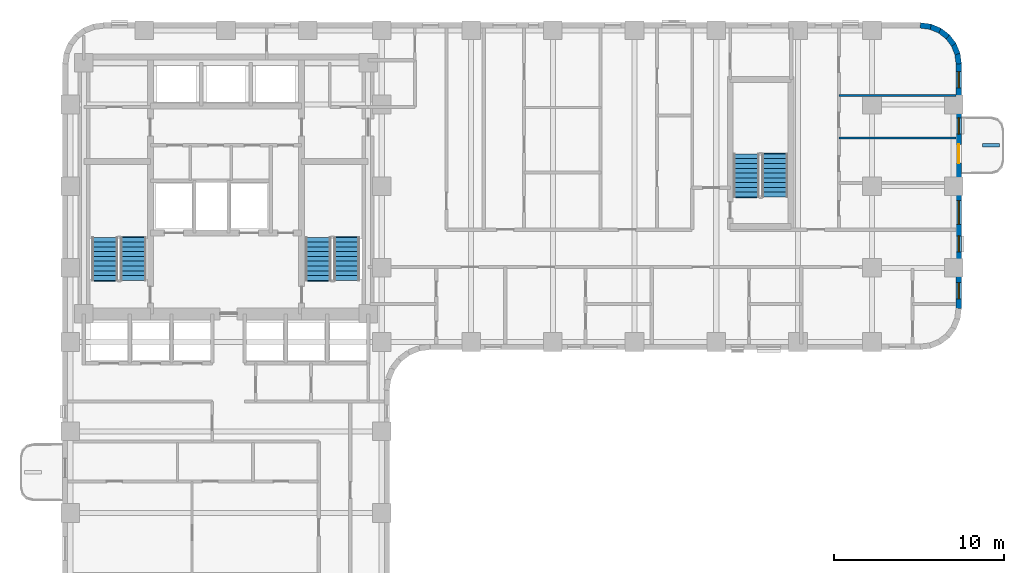
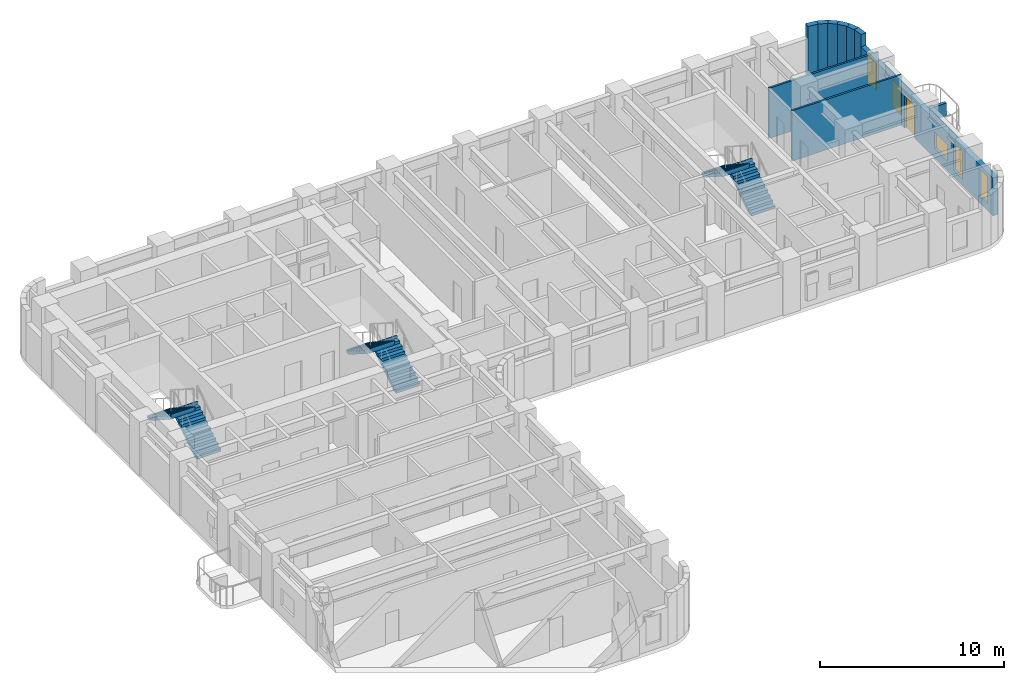
# One storey, part 8 of 11: 10 walls, 6 stair flights, 5 windows, 1 door, 6 openings, 3 elements without a shape of their own.
"""IFC4 building model written with IfcOpenShell, lengths in metres."""

from ifc_helpers import new_model, si_unit, direction, frame, frame_2d, origin, place, context, subcontext, project, spatial, polyline, rectangle, outline, extrude, material, layer, layer_set, type_object, element, fill, aggregate, save


model = new_model("IFC4")

# Units and contexts
model_context = context("Model", 3, precision=1e-05, world=origin(), true_north=direction((0.0, 1.0)))
body_context = subcontext(model_context, "Body", "Model", "MODEL_VIEW")
ifc_project = project(units=[si_unit("LENGTHUNIT", "METRE"), si_unit("AREAUNIT", "SQUARE_METRE"), si_unit("VOLUMEUNIT", "CUBIC_METRE"), si_unit("PLANEANGLEUNIT", "RADIAN"), si_unit("MASSUNIT", "GRAM", prefix="KILO")], contexts=[model_context])

# Site, building, storey
site_placement = place(None, origin())
site = spatial("IfcSite", under=ifc_project, at=site_placement, CompositionType="ELEMENT")
building_placement = place(site_placement, origin())
building = spatial("IfcBuilding", under=site, at=building_placement, Name="Orvandelia Arch Residences", CompositionType="ELEMENT")
storey_placement = place(building_placement, frame((0.0, 0.0, 82.60009765625)))
storey = spatial("IfcBuildingStorey", under=building, at=storey_placement, Name="L21", CompositionType="ELEMENT", Elevation=82.60009765625)

# Walls
ifc_material_1 = material(Name="Precast concrete C40/50", Category="concrete")
ifc_layer_1 = layer(ifc_material_1, 0.320068359375, Name="Precast concrete C40/50", Category="concrete")
ifc_layer_set_1 = layer_set([ifc_layer_1], Name="Precast concrete C40/50")
wall_type_1 = type_object("IfcWallType", Name="WL-EXT-STONE-320", PredefinedType="STANDARD", material=ifc_layer_set_1)
for number, where, z_axis, x_axis, name in (
    (1, (55.17919921875, 47.84130859375, 0.0), (0.0, 0.0, 1.0), (0.9914410257, -0.130555323746, 0.0), "Coral-Limestone Precast Facade Wall L21-008"),
    (2, (55.760009765625, 47.7705078125, 0.0), (0.0, 0.0, 1.0), (0.92389335771, -0.382650053678, 0.0), "Coral-Limestone Precast Facade Wall L21-009"),
):
    element("IfcWall", number, at=place(storey_placement, frame(where, z_axis=z_axis, x_axis=x_axis)), inside=storey, type_object=wall_type_1, Name=name, PredefinedType="STANDARD", context=body_context, shape_type="SweptSolid", body=[
        extrude(rectangle(XDim=0.62646484375, YDim=0.320068359375, at=frame_2d((0.313232421875, 0.0))), origin(), (0.0, 0.0, 1.0), 3.349853515625),
    ])
wall_1_placement = place(storey_placement, frame((56.302490234375, 47.551513671875, 0.0), z_axis=(0.0, 0.0, 1.0), x_axis=(0.793549926411, -0.608505147302, 0.0)))
element("IfcWall", 3, at=wall_1_placement, inside=storey, type_object=wall_type_1, Name="Coral-Limestone Precast Facade Wall L21-010", PredefinedType="STANDARD", context=body_context, shape_type="SweptSolid", body=[
    extrude(rectangle(XDim=0.626708984375, YDim=0.320068359375, at=frame_2d((0.3134765625, 0.0))), origin(), (0.0, 0.0, 1.0), 3.349853515625),
])
for number, where, z_axis, x_axis, name in (
    (4, (56.770263671875, 47.19970703125, 0.0), (0.0, 0.0, 1.0), (0.608693302629, -0.793405610854, 0.0), "Coral-Limestone Precast Facade Wall L21-011"),
    (5, (57.130615234375, 46.73876953125, 0.0), (0.0, 0.0, 1.0), (0.382650053678, -0.92389335771, 0.0), "Coral-Limestone Precast Facade Wall L21-012"),
    (6, (57.359619140625, 46.2001953125, 0.0), (0.0, 0.0, 1.0), (0.130555323746, -0.9914410257, 0.0), "Coral-Limestone Precast Facade Wall L21-013"),
):
    element("IfcWall", number, at=place(storey_placement, frame(where, z_axis=z_axis, x_axis=x_axis)), inside=storey, type_object=wall_type_1, Name=name, PredefinedType="STANDARD", context=body_context, shape_type="SweptSolid", body=[
        extrude(rectangle(XDim=0.62646484375, YDim=0.320068359375, at=frame_2d((0.313232421875, 0.0))), origin(), (0.0, 0.0, 1.0), 3.349853515625),
    ])

# Wall, openings, door, windows
wall_2_placement = place(storey_placement, frame((57.43994140625, 45.60009765625, 0.0), z_axis=(0.0, 0.0, 1.0), x_axis=(0.0, -1.0, 0.0)))
wall_2 = element("IfcWall", 7, at=wall_2_placement, inside=storey, type_object=wall_type_1, Name="Coral-Limestone Precast Facade Wall L21-014", PredefinedType="STANDARD", context=body_context, shape_type="SweptSolid", body=[
    extrude(rectangle(XDim=14.400146484375, YDim=0.320068359375, at=frame_2d((7.2001953125, 0.0))), origin(), (0.0, 0.0, 1.0), 2.52978515625),
])
opening_1_placement = place(wall_2_placement, frame((4.75, 0.0, 0.0)))
opening_1 = element("IfcOpeningElement", 8, at=opening_1_placement, cuts=wall_2, Name="Opening BD1", PredefinedType="OPENING", context=body_context, shape_type="SweptSolid", body=[
    extrude(rectangle(XDim=1.10009765625, YDim=2.14990234375, at=frame_2d((0.550048828125, 1.074951171875))), frame((0.0, 0.169921875, 0.0), z_axis=(0.0, -1.0, 0.0), x_axis=(1.0, 0.0, 0.0)), (0.0, 0.0, 1.0), 0.340087890625),
])
opening_2_placement = place(wall_2_placement, frame((0.469970703125, 0.0, 0.449951171875)))
opening_2 = element("IfcOpeningElement", 9, at=opening_2_placement, cuts=wall_2, Name="Opening W4", PredefinedType="OPENING", context=body_context, shape_type="SweptSolid", body=[
    extrude(rectangle(XDim=0.949951171875, YDim=1.800048828125, at=frame_2d((0.47509765625, 0.89990234375))), frame((0.0, 0.169921875, 0.0), z_axis=(0.0, -1.0, 0.0), x_axis=(1.0, 0.0, 0.0)), (0.0, 0.0, 1.0), 0.340087890625),
])
opening_3_placement = place(wall_2_placement, frame((10.114990234375, 0.0, 0.449951171875)))
opening_3 = element("IfcOpeningElement", 10, at=opening_3_placement, cuts=wall_2, Name="Opening W4", PredefinedType="OPENING", context=body_context, shape_type="SweptSolid", body=[
    extrude(rectangle(XDim=0.949951171875, YDim=1.800048828125, at=frame_2d((0.47509765625, 0.89990234375))), frame((0.0, 0.169921875, 0.0), z_axis=(0.0, -1.0, 0.0), x_axis=(1.0, 0.0, 0.0)), (0.0, 0.0, 1.0), 0.340087890625),
])
opening_4_placement = place(wall_2_placement, frame((12.867431640625, 0.0, 0.449951171875)))
opening_4 = element("IfcOpeningElement", 11, at=opening_4_placement, cuts=wall_2, Name="Opening W4", PredefinedType="OPENING", context=body_context, shape_type="SweptSolid", body=[
    extrude(rectangle(XDim=0.949951171875, YDim=1.800048828125, at=frame_2d((0.47509765625, 0.89990234375))), frame((0.0, 0.169921875, 0.0), z_axis=(0.0, -1.0, 0.0), x_axis=(1.0, 0.0, 0.0)), (0.0, 0.0, 1.0), 0.340087890625),
])
opening_5_placement = place(wall_2_placement, frame((8.050048828125, 0.0, 0.64990234375)))
opening_5 = element("IfcOpeningElement", 12, at=opening_5_placement, cuts=wall_2, Name="Opening W10", PredefinedType="OPENING", context=body_context, shape_type="SweptSolid", body=[
    extrude(rectangle(XDim=1.39990234375, YDim=1.10009765625, at=frame_2d((0.699951171875, 0.550048828125))), frame((0.0, 0.169921875, 0.0), z_axis=(0.0, -1.0, 0.0), x_axis=(1.0, 0.0, 0.0)), (0.0, 0.0, 1.0), 0.340087890625),
])
opening_6_placement = place(wall_2_placement, frame((3.193603515625, 0.0, 0.449951171875)))
opening_6 = element("IfcOpeningElement", 13, at=opening_6_placement, cuts=wall_2, Name="Opening W4", PredefinedType="OPENING", context=body_context, shape_type="SweptSolid", body=[
    extrude(rectangle(XDim=0.949951171875, YDim=1.800048828125, at=frame_2d((0.47509765625, 0.89990234375))), frame((0.0, 0.169921875, 0.0), z_axis=(0.0, -1.0, 0.0), x_axis=(1.0, 0.0, 0.0)), (0.0, 0.0, 1.0), 0.340087890625),
])
ifc_material_2 = material(Name="Thermally Broken Aluminium Glazed Door", Category="aluminium")
door_type = type_object("IfcDoorType", Name="DR-BAL-GLAZ-1100", OperationType="NOTDEFINED", PredefinedType="DOOR", material=ifc_material_2)
door_placement = place(opening_1_placement, origin())
door = element("IfcDoor", 14, at=door_placement, inside=storey, type_object=door_type, Name="Tree Balcony Glazed Door BAL-L21-E1", OperationType="SINGLE_SWING_LEFT", OverallHeight=2.14990234375, OverallWidth=1.10009765625, PredefinedType="DOOR", context=body_context, shape_type="SweptSolid", body=[
    extrude(rectangle(XDim=1.10009765625, YDim=2.14990234375, at=frame_2d((0.550048828125, 1.074951171875))), frame((0.0, 0.02490234375, 0.0), z_axis=(0.0, -1.0, 0.0), x_axis=(1.0, 0.0, 0.0)), (0.0, 0.0, 1.0), 0.050048828125),
])
fill(opening_1, door)
ifc_material_3 = material(Name="Tempered Low-E Insulated Glazing", Category="glass")
window_type_1 = type_object("IfcWindowType", Name="WIN-CLR-1400x1100", PartitioningType="SINGLE_PANEL", PredefinedType="WINDOW", material=ifc_material_3)
window_1_placement = place(opening_5_placement, origin())
window_1 = element("IfcWindow", 15, at=window_1_placement, inside=storey, type_object=window_type_1, Name="Recessed Punched Window L21-014", OverallHeight=1.10009765625, OverallWidth=1.39990234375, PartitioningType="SINGLE_PANEL", PredefinedType="WINDOW", context=body_context, shape_type="SweptSolid", body=[
    extrude(rectangle(XDim=1.39990234375, YDim=1.10009765625, at=frame_2d((0.699951171875, 0.550048828125))), frame((0.0, 0.030029296875, 0.0), z_axis=(0.0, -1.0, 0.0), x_axis=(1.0, 0.0, 0.0)), (0.0, 0.0, 1.0), 0.06005859375),
])
fill(opening_5, window_1)
window_type_2 = type_object("IfcWindowType", Name="WIN-RES-0950x1800", PartitioningType="SINGLE_PANEL", PredefinedType="WINDOW", material=ifc_material_3)
window_2_placement = place(opening_2_placement, origin())
window_2 = element("IfcWindow", 16, at=window_2_placement, inside=storey, type_object=window_type_2, Name="Recessed Punched Window L21-011", OverallHeight=1.800048828125, OverallWidth=0.949951171875, PartitioningType="SINGLE_PANEL", PredefinedType="WINDOW", context=body_context, shape_type="SweptSolid", body=[
    extrude(rectangle(XDim=0.949951171875, YDim=1.800048828125, at=frame_2d((0.47509765625, 0.89990234375))), frame((0.0, 0.030029296875, 0.0), z_axis=(0.0, -1.0, 0.0), x_axis=(1.0, 0.0, 0.0)), (0.0, 0.0, 1.0), 0.06005859375),
])
fill(opening_2, window_2)
window_3_placement = place(opening_3_placement, origin())
window_3 = element("IfcWindow", 17, at=window_3_placement, inside=storey, type_object=window_type_2, Name="Recessed Punched Window L21-012", OverallHeight=1.800048828125, OverallWidth=0.949951171875, PartitioningType="SINGLE_PANEL", PredefinedType="WINDOW", context=body_context, shape_type="SweptSolid", body=[
    extrude(rectangle(XDim=0.949951171875, YDim=1.800048828125, at=frame_2d((0.47509765625, 0.89990234375))), frame((0.0, 0.030029296875, 0.0), z_axis=(0.0, -1.0, 0.0), x_axis=(1.0, 0.0, 0.0)), (0.0, 0.0, 1.0), 0.06005859375),
])
fill(opening_3, window_3)
window_4_placement = place(opening_4_placement, origin())
window_4 = element("IfcWindow", 18, at=window_4_placement, inside=storey, type_object=window_type_2, Name="Recessed Punched Window L21-013", OverallHeight=1.800048828125, OverallWidth=0.949951171875, PartitioningType="SINGLE_PANEL", PredefinedType="WINDOW", context=body_context, shape_type="SweptSolid", body=[
    extrude(rectangle(XDim=0.949951171875, YDim=1.800048828125, at=frame_2d((0.47509765625, 0.89990234375))), frame((0.0, 0.030029296875, 0.0), z_axis=(0.0, -1.0, 0.0), x_axis=(1.0, 0.0, 0.0)), (0.0, 0.0, 1.0), 0.06005859375),
])
fill(opening_4, window_4)
window_5_placement = place(opening_6_placement, origin())
window_5 = element("IfcWindow", 19, at=window_5_placement, inside=storey, type_object=window_type_2, Name="Recessed Punched Window L21-015", OverallHeight=1.800048828125, OverallWidth=0.949951171875, PartitioningType="SINGLE_PANEL", PredefinedType="WINDOW", context=body_context, shape_type="SweptSolid", body=[
    extrude(rectangle(XDim=0.949951171875, YDim=1.800048828125, at=frame_2d((0.47509765625, 0.89990234375))), frame((0.0, 0.030029296875, 0.0), z_axis=(0.0, -1.0, 0.0), x_axis=(1.0, 0.0, 0.0)), (0.0, 0.0, 1.0), 0.06005859375),
])
fill(opening_6, window_5)

# Walls
ifc_material_4 = material(Name="Lightweight Gypsum Stud Partition")
ifc_layer_2 = layer(ifc_material_4, 0.1201171875, Name="Lightweight Gypsum Stud Partition")
ifc_layer_set_2 = layer_set([ifc_layer_2], Name="Lightweight Gypsum Stud Partition")
wall_type_2 = type_object("IfcWallType", Name="WL-PART-120", PredefinedType="PARTITIONING", material=ifc_layer_set_2)
for number, where, z_axis, x_axis, name in (
    (20, (50.39697265625, 41.23291015625, 0.0), (0.0, 0.0, 1.0), (1.0, 0.0, 0.0), "Interior Partition Wall WL-L21-U10-H1B"),
    (21, (50.39697265625, 43.718994140625, 0.0), (0.0, 0.0, 1.0), (1.0, 0.0, 0.0), "Interior Partition Wall WL-L21-U10-H2"),
):
    element("IfcWall", number, at=place(storey_placement, frame(where, z_axis=z_axis, x_axis=x_axis)), inside=storey, type_object=wall_type_2, Name=name, PredefinedType="PARTITIONING", context=body_context, shape_type="SweptSolid", body=[
        extrude(rectangle(XDim=6.883056640625, YDim=0.1201171875, at=frame_2d((3.44140625, 0.0))), origin(), (0.0, 0.0, 1.0), 3.349853515625),
    ])
ifc_layer_3 = layer(ifc_material_1, 0.199951171875, Name="Precast concrete C40/50", Category="concrete")
ifc_layer_set_3 = layer_set([ifc_layer_3], Name="Precast concrete C40/50")
wall_type_3 = type_object("IfcWallType", Name="WL-PLANTER-200", PredefinedType="MOVABLE", material=ifc_layer_set_3)
wall_3_placement = place(storey_placement, frame((58.85009765625, 40.800048828125, 0.0), z_axis=(0.0, 0.0, 1.0), x_axis=(1.0, 0.0, 0.0)))
element("IfcWall", 22, at=wall_3_placement, inside=storey, type_object=wall_type_3, Name="Balcony Precast Tree Planter BAL-L21-E1", PredefinedType="MOVABLE", context=body_context, shape_type="SweptSolid", body=[
    extrude(rectangle(XDim=1.0, YDim=0.199951171875, at=frame_2d((0.5, 0.0))), origin(), (0.0, 0.0, 1.0), 0.849853515625),
])

# Stair, stair flights
ifc_material_5 = material(Name="Concrete C40/50", Category="concrete")
stair_type = type_object("IfcStairType", Name="STAIR-RC-DOGLEG", PredefinedType="HALF_TURN_STAIR", material=ifc_material_5)
stair_1_placement = place(storey_placement, origin())
stair_1 = element("IfcStair", 23, at=stair_1_placement, inside=storey, type_object=stair_type, Name="L21 Protected Exit Stair ST-1", PredefinedType="HALF_TURN_STAIR")
stair_flight_type = type_object("IfcStairFlightType", Name="STFLT-RC-1520", PredefinedType="STRAIGHT", material=ifc_material_5)
stair_flight_1_placement = place(storey_placement, frame((8.9599609375, 32.8701171875, 0.0), z_axis=(0.0, 0.0, 1.0), x_axis=(0.0, 1.0, 0.0)))
stair_flight_1 = element("IfcStairFlight", 24, at=stair_flight_1_placement, type_object=stair_flight_type, Name="ST-1 flight 1", NumberOfRisers=10, NumberOfTreads=9, PredefinedType="STRAIGHT", RiserHeight=0.18, TreadLength=0.28, context=body_context, shape_type="SweptSolid", body=[
    extrude(outline(polyline([(0.0, 0.0), (0.0, 0.179931640625), (0.280029296875, 0.179931640625), (0.280029296875, 0.360107421875), (0.56005859375, 0.360107421875), (0.56005859375, 0.5400390625), (0.840087890625, 0.5400390625), (0.840087890625, 0.719970703125), (1.1201171875, 0.719970703125), (1.1201171875, 0.89990234375), (1.39990234375, 0.89990234375), (1.39990234375, 1.080078125), (1.679931640625, 1.080078125), (1.679931640625, 1.260009765625), (1.9599609375, 1.260009765625), (1.9599609375, 1.43994140625), (2.239990234375, 1.43994140625), (2.239990234375, 1.6201171875), (2.52001953125, 1.6201171875), (2.52001953125, 1.800048828125), (2.580078125, 1.800048828125), (2.580078125, 1.6201171875), (2.52001953125, 1.44189453125), (0.277099609375, 0.0), (0.0, 0.0)])), frame((0.0, 0.760009765625, 0.0), z_axis=(0.0, -1.0, 0.0), x_axis=(1.0, 0.0, 0.0)), (0.0, 0.0, 1.0), 1.52001953125),
])
stair_flight_2_placement = place(storey_placement, frame((7.2900390625, 35.389892578125, 1.7998046875), z_axis=(0.0, 0.0, 1.0), x_axis=(0.0, -1.0, 0.0)))
stair_flight_2 = element("IfcStairFlight", 25, at=stair_flight_2_placement, type_object=stair_flight_type, Name="ST-1 flight 2", NumberOfRisers=10, NumberOfTreads=9, PredefinedType="STRAIGHT", RiserHeight=0.18, TreadLength=0.28, context=body_context, shape_type="SweptSolid", body=[
    extrude(outline(polyline([(0.0, 0.0), (0.0, 0.179931640625), (0.280029296875, 0.179931640625), (0.280029296875, 0.360107421875), (0.56005859375, 0.360107421875), (0.56005859375, 0.5400390625), (0.840087890625, 0.5400390625), (0.840087890625, 0.719970703125), (1.1201171875, 0.719970703125), (1.1201171875, 0.89990234375), (1.39990234375, 0.89990234375), (1.39990234375, 1.080078125), (1.679931640625, 1.080078125), (1.679931640625, 1.260009765625), (1.9599609375, 1.260009765625), (1.9599609375, 1.43994140625), (2.239990234375, 1.43994140625), (2.239990234375, 1.6201171875), (2.52001953125, 1.6201171875), (2.52001953125, 1.800048828125), (2.580078125, 1.800048828125), (2.580078125, 1.6201171875), (2.52001953125, 1.44189453125), (0.277099609375, 0.0), (0.0, 0.0)])), frame((0.0, 0.760009765625, 0.0), z_axis=(0.0, -1.0, 0.0), x_axis=(1.0, 0.0, 0.0)), (0.0, 0.0, 1.0), 1.52001953125),
])
aggregate(stair_1, [stair_flight_1, stair_flight_2])

stair_2_placement = place(storey_placement, origin())
stair_2 = element("IfcStair", 26, at=stair_2_placement, inside=storey, type_object=stair_type, Name="L21 Protected Exit Stair ST-2", PredefinedType="HALF_TURN_STAIR")
stair_flight_3_placement = place(storey_placement, frame((21.489990234375, 32.8701171875, 0.0), z_axis=(0.0, 0.0, 1.0), x_axis=(0.0, 1.0, 0.0)))
stair_flight_3 = element("IfcStairFlight", 27, at=stair_flight_3_placement, type_object=stair_flight_type, Name="ST-2 flight 1", NumberOfRisers=10, NumberOfTreads=9, PredefinedType="STRAIGHT", RiserHeight=0.18, TreadLength=0.28, context=body_context, shape_type="SweptSolid", body=[
    extrude(outline(polyline([(0.0, 0.0), (0.0, 0.179931640625), (0.280029296875, 0.179931640625), (0.280029296875, 0.360107421875), (0.56005859375, 0.360107421875), (0.56005859375, 0.5400390625), (0.840087890625, 0.5400390625), (0.840087890625, 0.719970703125), (1.1201171875, 0.719970703125), (1.1201171875, 0.89990234375), (1.39990234375, 0.89990234375), (1.39990234375, 1.080078125), (1.679931640625, 1.080078125), (1.679931640625, 1.260009765625), (1.9599609375, 1.260009765625), (1.9599609375, 1.43994140625), (2.239990234375, 1.43994140625), (2.239990234375, 1.6201171875), (2.52001953125, 1.6201171875), (2.52001953125, 1.800048828125), (2.580078125, 1.800048828125), (2.580078125, 1.6201171875), (2.52001953125, 1.44189453125), (0.277099609375, 0.0), (0.0, 0.0)])), frame((0.0, 0.760009765625, 0.0), z_axis=(0.0, -1.0, 0.0), x_axis=(1.0, 0.0, 0.0)), (0.0, 0.0, 1.0), 1.52001953125),
])
stair_flight_4_placement = place(storey_placement, frame((19.820068359375, 35.389892578125, 1.7998046875), z_axis=(0.0, 0.0, 1.0), x_axis=(0.0, -1.0, 0.0)))
stair_flight_4 = element("IfcStairFlight", 28, at=stair_flight_4_placement, type_object=stair_flight_type, Name="ST-2 flight 2", NumberOfRisers=10, NumberOfTreads=9, PredefinedType="STRAIGHT", RiserHeight=0.18, TreadLength=0.28, context=body_context, shape_type="SweptSolid", body=[
    extrude(outline(polyline([(0.0, 0.0), (0.0, 0.179931640625), (0.280029296875, 0.179931640625), (0.280029296875, 0.360107421875), (0.56005859375, 0.360107421875), (0.56005859375, 0.5400390625), (0.840087890625, 0.5400390625), (0.840087890625, 0.719970703125), (1.1201171875, 0.719970703125), (1.1201171875, 0.89990234375), (1.39990234375, 0.89990234375), (1.39990234375, 1.080078125), (1.679931640625, 1.080078125), (1.679931640625, 1.260009765625), (1.9599609375, 1.260009765625), (1.9599609375, 1.43994140625), (2.239990234375, 1.43994140625), (2.239990234375, 1.6201171875), (2.52001953125, 1.6201171875), (2.52001953125, 1.800048828125), (2.580078125, 1.800048828125), (2.580078125, 1.6201171875), (2.52001953125, 1.44189453125), (0.277099609375, 0.0), (0.0, 0.0)])), frame((0.0, 0.760009765625, 0.0), z_axis=(0.0, -1.0, 0.0), x_axis=(1.0, 0.0, 0.0)), (0.0, 0.0, 1.0), 1.52001953125),
])
aggregate(stair_2, [stair_flight_3, stair_flight_4])

stair_3_placement = place(storey_placement, origin())
stair_3 = element("IfcStair", 29, at=stair_3_placement, inside=storey, type_object=stair_type, Name="L21 East Wing Exit Stair ST-3", PredefinedType="HALF_TURN_STAIR")
stair_flight_5_placement = place(storey_placement, frame((46.639892578125, 37.77001953125, 0.0), z_axis=(0.0, 0.0, 1.0), x_axis=(0.0, 1.0, 0.0)))
stair_flight_5 = element("IfcStairFlight", 30, at=stair_flight_5_placement, type_object=stair_flight_type, Name="ST-3 flight 1", NumberOfRisers=10, NumberOfTreads=9, PredefinedType="STRAIGHT", RiserHeight=0.18, TreadLength=0.28, context=body_context, shape_type="SweptSolid", body=[
    extrude(outline(polyline([(0.0, 0.0), (0.0, 0.179931640625), (0.280029296875, 0.179931640625), (0.280029296875, 0.360107421875), (0.56005859375, 0.360107421875), (0.56005859375, 0.5400390625), (0.840087890625, 0.5400390625), (0.840087890625, 0.719970703125), (1.1201171875, 0.719970703125), (1.1201171875, 0.89990234375), (1.39990234375, 0.89990234375), (1.39990234375, 1.080078125), (1.679931640625, 1.080078125), (1.679931640625, 1.260009765625), (1.9599609375, 1.260009765625), (1.9599609375, 1.43994140625), (2.239990234375, 1.43994140625), (2.239990234375, 1.6201171875), (2.52001953125, 1.6201171875), (2.52001953125, 1.800048828125), (2.580078125, 1.800048828125), (2.580078125, 1.6201171875), (2.52001953125, 1.44189453125), (0.277099609375, 0.0), (0.0, 0.0)])), frame((0.0, 0.760009765625, 0.0), z_axis=(0.0, -1.0, 0.0), x_axis=(1.0, 0.0, 0.0)), (0.0, 0.0, 1.0), 1.52001953125),
])
stair_flight_6_placement = place(storey_placement, frame((44.969970703125, 40.2900390625, 1.7998046875), z_axis=(0.0, 0.0, 1.0), x_axis=(0.0, -1.0, 0.0)))
stair_flight_6 = element("IfcStairFlight", 31, at=stair_flight_6_placement, type_object=stair_flight_type, Name="ST-3 flight 2", NumberOfRisers=10, NumberOfTreads=9, PredefinedType="STRAIGHT", RiserHeight=0.18, TreadLength=0.28, context=body_context, shape_type="SweptSolid", body=[
    extrude(outline(polyline([(0.0, 0.0), (0.0, 0.179931640625), (0.280029296875, 0.179931640625), (0.280029296875, 0.360107421875), (0.56005859375, 0.360107421875), (0.56005859375, 0.5400390625), (0.840087890625, 0.5400390625), (0.840087890625, 0.719970703125), (1.1201171875, 0.719970703125), (1.1201171875, 0.89990234375), (1.39990234375, 0.89990234375), (1.39990234375, 1.080078125), (1.679931640625, 1.080078125), (1.679931640625, 1.260009765625), (1.9599609375, 1.260009765625), (1.9599609375, 1.43994140625), (2.239990234375, 1.43994140625), (2.239990234375, 1.6201171875), (2.52001953125, 1.6201171875), (2.52001953125, 1.800048828125), (2.580078125, 1.800048828125), (2.580078125, 1.6201171875), (2.52001953125, 1.44189453125), (0.277099609375, 0.0), (0.0, 0.0)])), frame((0.0, 0.760009765625, 0.0), z_axis=(0.0, -1.0, 0.0), x_axis=(1.0, 0.0, 0.0)), (0.0, 0.0, 1.0), 1.52001953125),
])
aggregate(stair_3, [stair_flight_5, stair_flight_6])

save(model, "model.ifc")
